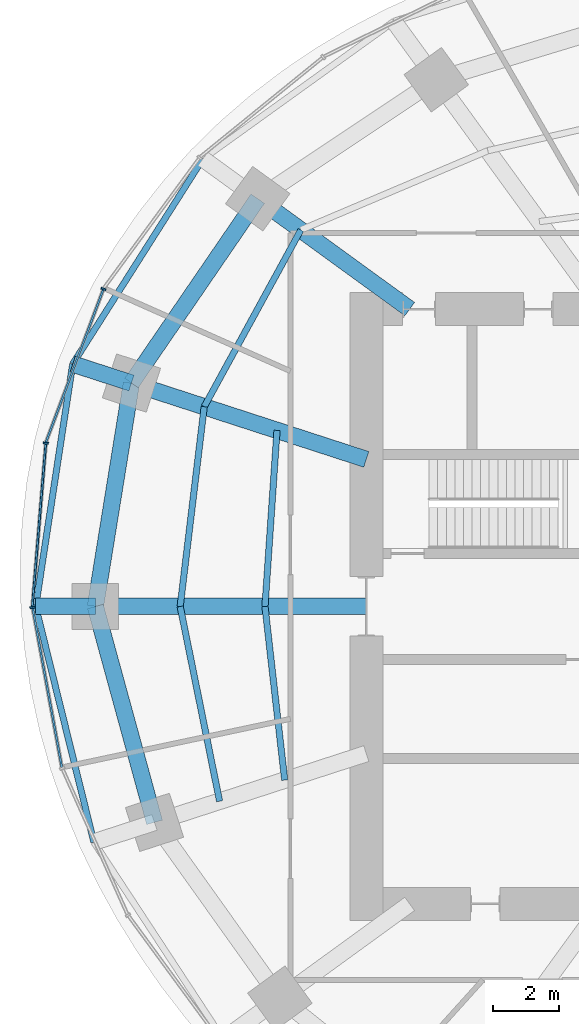
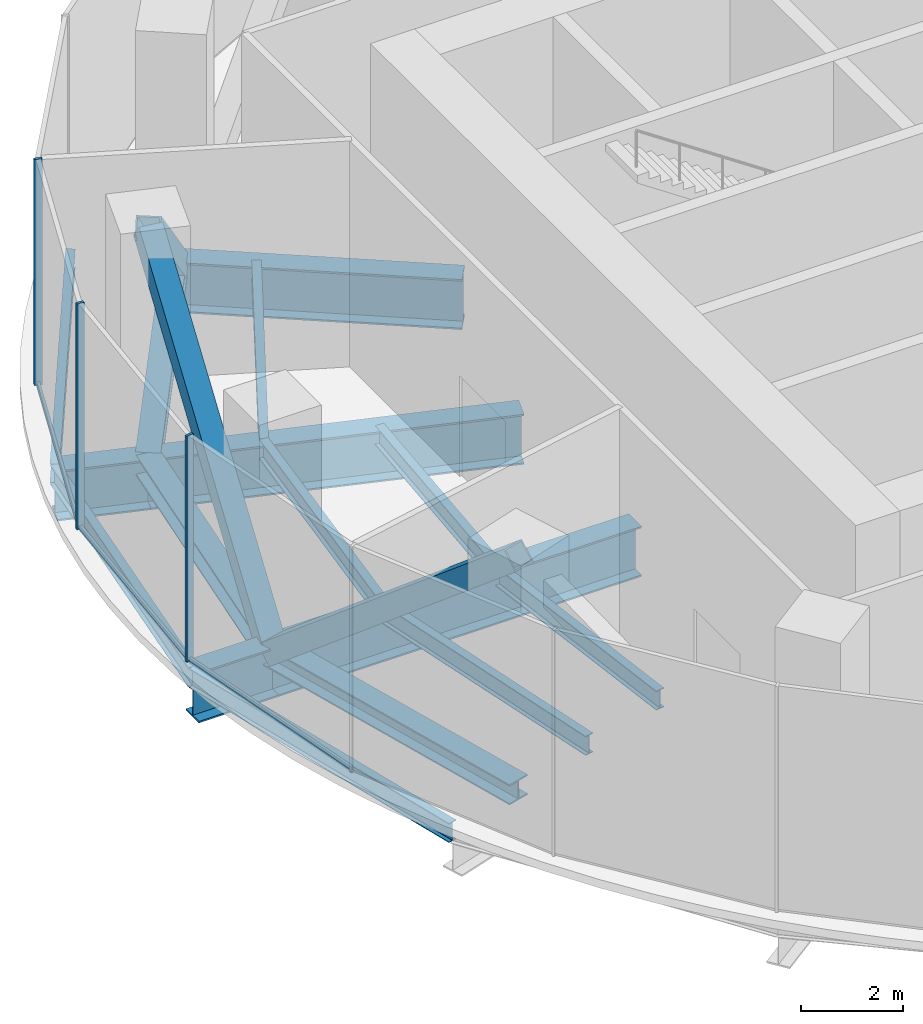
# One storey, part 4 of 13: 13 beams, 12 members, 2 elements without a shape of their own.
"""IFC4 building model written with IfcOpenShell, lengths in metres."""

import ifcopenshell
import ifcopenshell.guid

model = None  # the IFC model being written
_history = None  # IfcOwnerHistory: only IFC2X3 demands one
_inside = {}  # id of a spatial element -> (the spatial element, [elements in it])
_under = {}  # id of a project, library or spatial element -> (it, [spatial elements below it])
_declared = {}  # id of a project -> (the project, [libraries it declares])
_typed = {}  # id of a type object -> (the type object, [elements of that type])
_made_of = {}  # id of a material, layer set ... -> (it, [elements and type objects made of it])


def new_model(schema):
    """Start an empty IFC model of exactly this schema.

    Asked for "IFC4X3", IfcOpenShell would pick the latest addendum, in which some entities
    have other attributes; the version numbers below select the first issue.
    IFC2X3 requires an IfcOwnerHistory on every rooted entity: one is made here for all.
    """
    global model, _history
    if schema == "IFC4X3":
        model = ifcopenshell.file(schema_version=(4, 3, 0, 0))
    else:
        model = ifcopenshell.file(schema=schema)
    _inside.clear()
    _under.clear()
    _declared.clear()
    _typed.clear()
    _made_of.clear()
    _history = None
    if model.schema == "IFC2X3":
        org = make("IfcOrganization", Name="unknown")
        user = make(
            "IfcPersonAndOrganization",
            ThePerson=make("IfcPerson", FamilyName="unknown"),
            TheOrganization=org,
        )
        app = make(
            "IfcApplication",
            ApplicationDeveloper=org,
            Version="unknown",
            ApplicationFullName="unknown",
            ApplicationIdentifier="unknown",
        )
        _history = make(
            "IfcOwnerHistory",
            OwningUser=user,
            OwningApplication=app,
            ChangeAction="ADDED",
            CreationDate=0,
        )
    return model


def make(cls, **values):
    """One entity of the class cls with the attributes given. An attribute that is None is left unset."""
    return model.create_entity(
        cls, **{name: value for name, value in values.items() if value is not None}
    )


def rooted(cls, **values):
    """An entity with a GlobalId (a new one), such as an element, a storey or a relation."""
    return make(cls, GlobalId=ifcopenshell.guid.new(), OwnerHistory=_history, **values)


def si_unit(unit_type, name, prefix=None):
    """IfcSIUnit, for example si_unit("LENGTHUNIT", "METRE", prefix="MILLI")."""
    return make("IfcSIUnit", UnitType=unit_type, Prefix=prefix, Name=name)


def assignment(units):
    """IfcUnitAssignment: the units of a project."""
    return None if units is None else make("IfcUnitAssignment", Units=units)


def point(xyz):
    """IfcCartesianPoint."""
    return None if xyz is None else make("IfcCartesianPoint", Coordinates=xyz)


def direction(xyz):
    """IfcDirection."""
    return None if xyz is None else make("IfcDirection", DirectionRatios=xyz)


def frame(location, z_axis=None, x_axis=None):
    """IfcAxis2Placement3D, a coordinate frame: its origin and axes. An axis left out is left unset."""
    return make(
        "IfcAxis2Placement3D",
        Location=point(location),
        Axis=direction(z_axis),
        RefDirection=direction(x_axis),
    )


def frame_2d(location, x_axis=None):
    """IfcAxis2Placement2D, a coordinate frame in the plane: its origin and x axis."""
    return make(
        "IfcAxis2Placement2D", Location=point(location), RefDirection=direction(x_axis)
    )


def origin():
    """The frame at (0, 0, 0) with its axes left unset."""
    return frame((0.0, 0.0, 0.0))


def origin_2d():
    """The frame at (0, 0) in the plane with its x axis left unset."""
    return frame_2d((0.0, 0.0))


def place(relative_to, where):
    """IfcLocalPlacement: puts the frame where relative to a parent placement (None: the world)."""
    return make(
        "IfcLocalPlacement", PlacementRelTo=relative_to, RelativePlacement=where
    )


def context(
    kind, dimensions, precision=None, world=None, true_north=None, identifier=None
):
    """IfcGeometricRepresentationContext, for example the 3D "Model" context."""
    return make(
        "IfcGeometricRepresentationContext",
        ContextIdentifier=identifier,
        ContextType=kind,
        CoordinateSpaceDimension=dimensions,
        Precision=precision,
        WorldCoordinateSystem=world,
        TrueNorth=true_north,
    )


def subcontext(parent, identifier, kind, view, scale=None):
    """IfcGeometricRepresentationSubContext, for example "Body" below "Model"."""
    return make(
        "IfcGeometricRepresentationSubContext",
        ContextIdentifier=identifier,
        ContextType=kind,
        ParentContext=parent,
        TargetScale=scale,
        TargetView=view,
    )


def project(units=None, contexts=None):
    """IfcProject with its units and contexts."""
    return rooted(
        "IfcProject",
        Name="project",
        RepresentationContexts=contexts,
        UnitsInContext=assignment(units),
    )


def spatial(cls, under=None, at=None, **own):
    """A site, building, storey or space (cls), placed at a placement, below another one or the project."""
    s = rooted(cls, ObjectPlacement=at, **own)
    if under is not None:
        _under.setdefault(under.id(), (under, []))[1].append(s)
    return s


def profile(cls, at=None, kind="AREA", **sizes):
    """A parametric profile (cls). Its sizes go by their IFC names, for example OverallWidth=200.0."""
    return make(cls, ProfileType=kind, Position=at, **sizes)


def rectangle(**sizes):
    """IfcRectangleProfileDef."""
    return profile("IfcRectangleProfileDef", **sizes)


def hollow_rectangle(**sizes):
    """IfcRectangleHollowProfileDef."""
    return profile("IfcRectangleHollowProfileDef", **sizes)


def i_section(**sizes):
    """IfcIShapeProfileDef."""
    return profile("IfcIShapeProfileDef", **sizes)


def extrude(swept, where, along, depth):
    """IfcExtrudedAreaSolid: the profile swept, set in the frame where, extruded along a direction by depth."""
    return make(
        "IfcExtrudedAreaSolid",
        SweptArea=swept,
        Position=where,
        ExtrudedDirection=direction(along),
        Depth=depth,
    )


def shape(context_of_items, identifier, shape_type, items):
    """IfcShapeRepresentation: the items that make up one representation, for example the "Body"."""
    return make(
        "IfcShapeRepresentation",
        ContextOfItems=context_of_items,
        RepresentationIdentifier=identifier,
        RepresentationType=shape_type,
        Items=items,
    )


def material(Name=None, Category=None):
    """IfcMaterial."""
    return make("IfcMaterial", Name=Name, Category=Category)


def material_profile(
    of_material, cross_section, Name=None, Category=None, Priority=None
):
    """IfcMaterialProfile: a cross section and its material."""
    return make(
        "IfcMaterialProfile",
        Name=Name,
        Material=of_material,
        Profile=cross_section,
        Priority=Priority,
        Category=Category,
    )


def profile_set(profiles, Name=None, composite=None):
    """IfcMaterialProfileSet."""
    return make(
        "IfcMaterialProfileSet",
        Name=Name,
        MaterialProfiles=profiles,
        CompositeProfile=composite,
    )


def made_of(thing, what):
    """Note that an element or type object is made of a material, layer set ...; save() writes the relation."""
    if what is not None:
        _made_of.setdefault(what.id(), (what, []))[1].append(thing)
    return thing


def type_object(cls, material=None, **own):
    """A type object (cls), such as IfcWallType, which elements share."""
    return made_of(rooted(cls, **own), material)


def element(
    cls,
    number,
    at=None,
    inside=None,
    cuts=None,
    type_object=None,
    material=None,
    context=None,
    identifier="Body",
    shape_type=None,
    held_by="IfcProductDefinitionShape",
    body=None,
    shapes=None,
    **own,
):
    """One element of the class cls, such as IfcWall. Its Tag is "e" and its number.

    at: its placement. inside: the storey or other place that contains it. cuts: it is an
    opening in that element (IfcRelVoidsElement). A single representation is given by context,
    identifier, shape_type and body (its items); several are given by shapes. held_by: the class
    of the entity that holds the representations. save() writes the other relations.
    """
    e = rooted(cls, Tag="e%d" % number, ObjectPlacement=at, **own)
    if body is not None:
        shapes = [shape(context, identifier, shape_type, body)]
    if shapes is not None:
        e.Representation = make(held_by, Representations=shapes)
    if inside is not None:
        _inside.setdefault(inside.id(), (inside, []))[1].append(e)
    if cuts is not None:
        rooted(
            "IfcRelVoidsElement", RelatingBuildingElement=cuts, RelatedOpeningElement=e
        )
    if type_object is not None:
        _typed.setdefault(type_object.id(), (type_object, []))[1].append(e)
    return made_of(e, material)


def aggregate(whole, parts):
    """IfcRelAggregates: a whole, such as a stair, and the parts it consists of."""
    return rooted("IfcRelAggregates", RelatingObject=whole, RelatedObjects=parts)


def save(model, path):
    """Write the relations noted so far, then the file.

    IfcRelAggregates (storeys below a building ...), IfcRelContainedInSpatialStructure (elements
    in a storey), IfcRelDefinesByType, IfcRelAssociatesMaterial and IfcRelDeclares: one each for
    every whole, place, type object, material and project.
    """
    for whole, parts in _under.values():
        aggregate(whole, parts)
    for where, things in _inside.values():
        rooted(
            "IfcRelContainedInSpatialStructure",
            RelatedElements=things,
            RelatingStructure=where,
        )
    for kind, things in _typed.values():
        rooted("IfcRelDefinesByType", RelatedObjects=things, RelatingType=kind)
    for what, things in _made_of.values():
        rooted("IfcRelAssociatesMaterial", RelatedObjects=things, RelatingMaterial=what)
    for by, libraries in _declared.values():
        rooted("IfcRelDeclares", RelatingContext=by, RelatedDefinitions=libraries)
    model.write(path)


model = new_model("IFC4")

# Units and contexts
model_context = context("Model", 3, precision=1e-05, world=origin(), true_north=direction((0.0, 1.0)))
body_context = subcontext(model_context, "Body", "Model", "MODEL_VIEW")
ifc_project = project(units=[si_unit("LENGTHUNIT", "METRE"), si_unit("AREAUNIT", "SQUARE_METRE"), si_unit("VOLUMEUNIT", "CUBIC_METRE"), si_unit("PLANEANGLEUNIT", "RADIAN"), si_unit("MASSUNIT", "GRAM", prefix="KILO")], contexts=[model_context])

# Site, building, storey
site_placement = place(None, origin())
site = spatial("IfcSite", under=ifc_project, at=site_placement, CompositionType="ELEMENT")
building_placement = place(site_placement, origin())
building = spatial("IfcBuilding", under=site, at=building_placement, Name="Marramba Exchange Tower", CompositionType="ELEMENT")
storey_placement = place(building_placement, frame((0.0, 0.0, 246.199951171875)))
storey = spatial("IfcBuildingStorey", under=building, at=storey_placement, Name="L60", CompositionType="ELEMENT", Elevation=246.199951171875)

# Members
ifc_material_1 = material(Name="Steel AS/NZS 3679.2 grade 300", Category="steel")
ifc_material_profile_1 = material_profile(ifc_material_1, i_section(OverallWidth=0.5, OverallDepth=0.48388671875, WebThickness=0.02490234375, FlangeThickness=0.031982421875, at=origin_2d()), Name="500WC340")
ifc_profile_set_1 = profile_set([ifc_material_profile_1], Name="Steel AS/NZS 3679.2 grade 300")
member_type_1 = type_object("IfcMemberType", Name="Belt truss chord 500WC340", PredefinedType="CHORD", material=ifc_profile_set_1)
member_1_placement = place(storey_placement, frame((-16.98583984375, 12.3408203125, -0.44189453125), z_axis=(-0.56516002054, -0.824981303535, 0.0), x_axis=(0.824981303535, -0.56516002054, 0.0)))
element("IfcMember", 1, at=member_1_placement, inside=storey, type_object=member_type_1, Name="Belt chord L60 TC09-TC10", PredefinedType="CHORD", context=body_context, shape_type="SweptSolid", body=[
    extrude(i_section(OverallWidth=0.5, OverallDepth=0.48388671875, WebThickness=0.02490234375, FlangeThickness=0.031982421875, at=origin_2d()), origin(), (0.0, 0.0, 1.0), 6.763671875),
])
member_2_placement = place(storey_placement, frame((-20.808349609375, 6.760986328125, -0.44189453125), z_axis=(-0.159384865399, -0.987216523708, 0.0), x_axis=(0.987216523708, -0.159384865399, 0.0)))
element("IfcMember", 2, at=member_2_placement, inside=storey, type_object=member_type_1, Name="Belt chord L60 TC10-TC11", PredefinedType="CHORD", context=body_context, shape_type="SweptSolid", body=[
    extrude(i_section(OverallWidth=0.5, OverallDepth=0.48388671875, WebThickness=0.02490234375, FlangeThickness=0.031982421875, at=origin_2d()), origin(), (0.0, 0.0, 1.0), 6.8486328125),
])
member_3_placement = place(storey_placement, frame((-21.89990234375, 0.0, -0.44189453125), z_axis=(0.264291166956, -0.964442937176, 0.0), x_axis=(0.964442937176, 0.264291166956, 0.0)))
element("IfcMember", 3, at=member_3_placement, inside=storey, type_object=member_type_1, Name="Belt chord L60 TC11-TC12", PredefinedType="CHORD", context=body_context, shape_type="SweptSolid", body=[
    extrude(i_section(OverallWidth=0.5, OverallDepth=0.48388671875, WebThickness=0.02490234375, FlangeThickness=0.031982421875, at=origin_2d()), origin(), (0.0, 0.0, 1.0), 6.77490234375),
])
ifc_material_2 = material(Name="Steel AS/NZS 3678 grade 350", Category="steel")
ifc_material_profile_2 = material_profile(ifc_material_2, hollow_rectangle(XDim=0.5, YDim=0.5, WallThickness=0.031982421875, at=origin_2d()), Name="500x500x32BOX")
ifc_profile_set_2 = profile_set([ifc_material_profile_2], Name="Steel AS/NZS 3678 grade 350")
member_type_2 = type_object("IfcMemberType", Name="Belt truss diagonal 500x500x32BOX", PredefinedType="BRACE", material=ifc_profile_set_2)
member_4_placement = place(storey_placement, frame((-16.98583984375, 12.3408203125, -0.44189453125), z_axis=(-0.435320155783, -0.635450096469, 0.63772998743), x_axis=(0.824981303535, -0.56516002054, 0.0)))
element("IfcMember", 4, at=member_4_placement, inside=storey, type_object=member_type_2, Name="Belt truss BT60 diagonal 09", PredefinedType="BRACE", context=body_context, shape_type="SweptSolid", body=[
    extrude(hollow_rectangle(XDim=0.5, YDim=0.5, WallThickness=0.031982421875, at=origin_2d()), origin(), (0.0, 0.0, 1.0), 8.781005859375),
])
member_5_placement = place(storey_placement, frame((-20.808349609375, 6.760986328125, 5.157958984375), z_axis=(-0.12338791563, -0.764254427988, -0.633001257168), x_axis=(0.987216523708, -0.159384865399, 0.0)))
element("IfcMember", 5, at=member_5_placement, inside=storey, type_object=member_type_2, Name="Belt truss BT60 diagonal 10", PredefinedType="BRACE", context=body_context, shape_type="SweptSolid", body=[
    extrude(hollow_rectangle(XDim=0.5, YDim=0.5, WallThickness=0.031982421875, at=origin_2d()), origin(), (0.0, 0.0, 1.0), 8.846435546875),
])
member_6_placement = place(storey_placement, frame((-21.89990234375, 0.0, -0.44189453125), z_axis=(0.203710300646, -0.743373162828, 0.637101604297), x_axis=(0.964442937176, 0.264291166956, 0.0)))
element("IfcMember", 6, at=member_6_placement, inside=storey, type_object=member_type_2, Name="Belt truss BT60 diagonal 11", PredefinedType="BRACE", context=body_context, shape_type="SweptSolid", body=[
    extrude(hollow_rectangle(XDim=0.5, YDim=0.5, WallThickness=0.031982421875, at=origin_2d()), origin(), (0.0, 0.0, 1.0), 8.78955078125),
])

# Beams
ifc_material_profile_3 = material_profile(ifc_material_1, i_section(OverallWidth=0.5, OverallDepth=1.199951171875, WebThickness=0.01611328125, FlangeThickness=0.0400390625, at=origin_2d()), Name="1200WB455")
ifc_profile_set_3 = profile_set([ifc_material_profile_3], Name="Steel AS/NZS 3679.2 grade 300")
beam_type_1 = type_object("IfcBeamType", Name="Cantilever girder 1200WB455", PredefinedType="BEAM", material=ifc_profile_set_3)
beam_1_placement = place(storey_placement, frame((-20.808349609375, 6.760986328125, -0.800048828125), z_axis=(-0.951047511993, 0.309044705395, 0.0), x_axis=(-0.309044705395, -0.951047511993, 0.0)))
element("IfcBeam", 7, at=beam_1_placement, inside=storey, type_object=beam_type_1, Name="Cantilever girder L60 TC10", PredefinedType="BEAM", context=body_context, shape_type="SweptSolid", body=[
    extrude(i_section(OverallWidth=0.5, OverallDepth=1.199951171875, WebThickness=0.01611328125, FlangeThickness=0.0400390625, at=origin_2d()), origin(), (0.0, 0.0, 1.0), 1.868408203125),
])
beam_2_placement = place(storey_placement, frame((-21.89990234375, 0.0, -0.800048828125), z_axis=(-1.0, 0.0, 0.0), x_axis=(0.0, -1.0, 0.0)))
element("IfcBeam", 8, at=beam_2_placement, inside=storey, type_object=beam_type_1, Name="Cantilever girder L60 TC11", PredefinedType="BEAM", context=body_context, shape_type="SweptSolid", body=[
    extrude(i_section(OverallWidth=0.5, OverallDepth=1.199951171875, WebThickness=0.01611328125, FlangeThickness=0.0400390625, at=origin_2d()), origin(), (0.0, 0.0, 1.0), 1.80615234375),
])
ifc_material_3 = material(Name="Steel AS/NZS 3679.1 grade 300", Category="steel")
ifc_material_profile_4 = material_profile(ifc_material_3, i_section(OverallWidth=0.19091796875, OverallDepth=0.4599609375, WebThickness=0.010009765625, FlangeThickness=0.01611328125, FilletRadius=0.011474609375, at=origin_2d()), Name="460UB82.1")
ifc_profile_set_4 = profile_set([ifc_material_profile_4], Name="Steel AS/NZS 3679.1 grade 300")
beam_type_2 = type_object("IfcBeamType", Name="Floor joist 460UB82.1", PredefinedType="JOIST", material=ifc_profile_set_4)
beam_3_placement = place(storey_placement, frame((-15.682373046875, 11.393798828125, -0.429931640625), z_axis=(-0.479584443791, -0.877495732909, 0.0), x_axis=(0.877495732909, -0.479584443791, 0.0)))
element("IfcBeam", 9, at=beam_3_placement, inside=storey, type_object=beam_type_2, Name="Joist L60 bay 09 row 2", PredefinedType="JOIST", context=body_context, shape_type="SweptSolid", body=[
    extrude(i_section(OverallWidth=0.19091796875, OverallDepth=0.4599609375, WebThickness=0.010009765625, FlangeThickness=0.01611328125, FilletRadius=0.011474609375, at=origin_2d()), origin(), (0.0, 0.0, 1.0), 6.094970703125),
])
beam_4_placement = place(storey_placement, frame((-16.40283203125, 5.32958984375, -0.429931640625), z_axis=(-0.068096259546, -0.99767875563, 0.0), x_axis=(0.99767875563, -0.068096259546, 0.0)))
element("IfcBeam", 10, at=beam_4_placement, inside=storey, type_object=beam_type_2, Name="Joist L60 bay 10 row 1", PredefinedType="JOIST", context=body_context, shape_type="SweptSolid", body=[
    extrude(i_section(OverallWidth=0.19091796875, OverallDepth=0.4599609375, WebThickness=0.010009765625, FlangeThickness=0.01611328125, FilletRadius=0.011474609375, at=origin_2d()), origin(), (0.0, 0.0, 1.0), 5.342041015625),
])
beam_5_placement = place(storey_placement, frame((-18.60546875, 6.04541015625, -0.429931640625), z_axis=(-0.119523078538, -0.992831422597, 0.0), x_axis=(0.992831422597, -0.119523078538, 0.0)))
element("IfcBeam", 11, at=beam_5_placement, inside=storey, type_object=beam_type_2, Name="Joist L60 bay 10 row 2", PredefinedType="JOIST", context=body_context, shape_type="SweptSolid", body=[
    extrude(i_section(OverallWidth=0.19091796875, OverallDepth=0.4599609375, WebThickness=0.010009765625, FlangeThickness=0.01611328125, FilletRadius=0.011474609375, at=origin_2d()), origin(), (0.0, 0.0, 1.0), 6.089111328125),
])
beam_6_placement = place(storey_placement, frame((-16.7666015625, 0.0, -0.429931640625), z_axis=(0.112888968594, -0.993607609054, 0.0), x_axis=(0.993607609054, 0.112888968594, 0.0)))
element("IfcBeam", 12, at=beam_6_placement, inside=storey, type_object=beam_type_2, Name="Joist L60 bay 11 row 1", PredefinedType="JOIST", context=body_context, shape_type="SweptSolid", body=[
    extrude(i_section(OverallWidth=0.19091796875, OverallDepth=0.4599609375, WebThickness=0.010009765625, FlangeThickness=0.01611328125, FilletRadius=0.011474609375, at=origin_2d()), origin(), (0.0, 0.0, 1.0), 5.28759765625),
])
beam_7_placement = place(storey_placement, frame((-19.333251953125, 0.0, -0.429931640625), z_axis=(0.198489047047, -0.980103105904, 0.0), x_axis=(0.980103105904, 0.198489047047, 0.0)))
element("IfcBeam", 13, at=beam_7_placement, inside=storey, type_object=beam_type_2, Name="Joist L60 bay 11 row 2", PredefinedType="JOIST", context=body_context, shape_type="SweptSolid", body=[
    extrude(i_section(OverallWidth=0.19091796875, OverallDepth=0.4599609375, WebThickness=0.010009765625, FlangeThickness=0.01611328125, FilletRadius=0.011474609375, at=origin_2d()), origin(), (0.0, 0.0, 1.0), 6.013427734375),
])

# Curtain wall, members
ifc_material_4 = material(Name="Aluminium framing, bronze anodised", Category="aluminium")
curtain_wall_type = type_object("IfcCurtainWallType", Name="Plant floor louvred curtain wall", PredefinedType="USERDEFINED", material=ifc_material_4)
curtain_wall_1_placement = place(storey_placement, origin())
curtain_wall_1 = element("IfcCurtainWall", 14, at=curtain_wall_1_placement, inside=storey, type_object=curtain_wall_type, Name="Curtain wall CW6 L60 F11-F15", ObjectType="RIBBON CURTAIN WALL", PredefinedType="USERDEFINED")
ifc_material_5 = material(Name="Aluminium mullion, bronze anodised", Category="aluminium")
ifc_material_profile_5 = material_profile(ifc_material_5, rectangle(XDim=0.159912109375, YDim=0.06005859375, at=origin_2d()), Name="CW6 mullion 60x160")
ifc_profile_set_5 = profile_set([ifc_material_profile_5], Name="Aluminium mullion, bronze anodised")
member_type_3 = type_object("IfcMemberType", Name="Plant floor louvred curtain wall mullion", PredefinedType="MULLION", material=ifc_profile_set_5)
member_7_placement = place(storey_placement, frame((-21.65283203125, 9.607666015625, 0.0), z_axis=(0.0, 0.0, 1.0), x_axis=(0.936018231909, -0.351951515885, 0.0)))
member_7 = element("IfcMember", 15, at=member_7_placement, type_object=member_type_3, Name="CW6 mullion 1", PredefinedType="MULLION", context=body_context, shape_type="SweptSolid", body=[
    extrude(rectangle(XDim=0.159912109375, YDim=0.06005859375, at=origin_2d()), origin(), (0.0, 0.0, 1.0), 5.400146484375),
])
member_8_placement = place(storey_placement, frame((-23.39794921875, 4.94287109375, 0.0), z_axis=(0.0, 0.0, 1.0), x_axis=(0.996609178714, -0.082280890264, 0.0)))
member_8 = element("IfcMember", 16, at=member_8_placement, type_object=member_type_3, Name="CW6 mullion 1", PredefinedType="MULLION", context=body_context, shape_type="SweptSolid", body=[
    extrude(rectangle(XDim=0.159912109375, YDim=0.06005859375, at=origin_2d()), origin(), (0.0, 0.0, 1.0), 5.400146484375),
])

# Curtain wall, member
curtain_wall_2_placement = place(storey_placement, origin())
curtain_wall_2 = element("IfcCurtainWall", 17, at=curtain_wall_2_placement, inside=storey, type_object=curtain_wall_type, Name="Curtain wall CW6 L60 F16-F20", ObjectType="RIBBON CURTAIN WALL", PredefinedType="USERDEFINED")
member_9_placement = place(storey_placement, frame((-23.800537109375, -0.029541015625, 0.0), z_axis=(0.0, 0.0, 1.0), x_axis=(0.983606636184, 0.180327438996, 0.0)))
member_9 = element("IfcMember", 18, at=member_9_placement, type_object=member_type_3, Name="CW6 mullion 1", PredefinedType="MULLION", context=body_context, shape_type="SweptSolid", body=[
    extrude(rectangle(XDim=0.159912109375, YDim=0.06005859375, at=origin_2d()), origin(), (0.0, 0.0, 1.0), 5.400146484375),
])

# Member
ifc_material_6 = material(Name="Aluminium transom, bronze anodised", Category="aluminium")
ifc_material_profile_6 = material_profile(ifc_material_6, rectangle(XDim=0.06005859375, YDim=0.1201171875, at=origin_2d()), Name="CW6 transom 60x120")
ifc_profile_set_6 = profile_set([ifc_material_profile_6], Name="Aluminium transom, bronze anodised")
member_type_4 = type_object("IfcMemberType", Name="Plant floor louvred curtain wall transom", PredefinedType="USERDEFINED", material=ifc_profile_set_6)
member_10_placement = place(storey_placement, frame((-21.663330078125, 9.57958984375, 0.030029296875), z_axis=(-0.351955054115, -0.936016901494, 0.0), x_axis=(0.936016901494, -0.351955054115, 0.0)))
member_10 = element("IfcMember", 19, at=member_10_placement, type_object=member_type_4, Name="CW6 sill transom", ObjectType="TRANSOM", PredefinedType="USERDEFINED", context=body_context, shape_type="SweptSolid", body=[
    extrude(rectangle(XDim=0.06005859375, YDim=0.1201171875, at=origin_2d()), origin(), (0.0, 0.0, 1.0), 4.921630859375),
])

member_11_placement = place(storey_placement, frame((-23.400390625, 4.9130859375, 0.030029296875), z_axis=(-0.082258542539, -0.996611023509, 0.0), x_axis=(0.996611023509, -0.082258542539, 0.0)))
member_11 = element("IfcMember", 20, at=member_11_placement, type_object=member_type_4, Name="CW6 sill transom", ObjectType="TRANSOM", PredefinedType="USERDEFINED", context=body_context, shape_type="SweptSolid", body=[
    extrude(rectangle(XDim=0.06005859375, YDim=0.1201171875, at=origin_2d()), origin(), (0.0, 0.0, 1.0), 4.9296875),
])

aggregate(curtain_wall_1, [member_7, member_10, member_8, member_11])

member_12_placement = place(storey_placement, frame((-23.795166015625, -0.05908203125, 0.030029296875), z_axis=(0.180330283276, -0.98360611473, 0.0), x_axis=(0.98360611473, 0.180330283276, 0.0)))
member_12 = element("IfcMember", 21, at=member_12_placement, type_object=member_type_4, Name="CW6 sill transom", ObjectType="TRANSOM", PredefinedType="USERDEFINED", context=body_context, shape_type="SweptSolid", body=[
    extrude(rectangle(XDim=0.06005859375, YDim=0.1201171875, at=origin_2d()), origin(), (0.0, 0.0, 1.0), 4.891357421875),
])

aggregate(curtain_wall_2, [member_9, member_12])

# Beams
ifc_material_profile_7 = material_profile(ifc_material_1, i_section(OverallWidth=0.5, OverallDepth=1.199951171875, WebThickness=0.01611328125, FlangeThickness=0.0400390625, at=origin_2d()), Name="1200WB455")
ifc_profile_set_7 = profile_set([ifc_material_profile_7], Name="Steel AS/NZS 3679.2 grade 300")
beam_type_3 = type_object("IfcBeamType", Name="Radial girder 1200WB455", PredefinedType="BEAM", material=ifc_profile_set_7)
beam_8_placement = place(storey_placement, frame((-12.387451171875, 9.0, -0.800048828125), z_axis=(-0.809025746925, 0.587773205252, 0.0), x_axis=(-0.587773205252, -0.809025746925, 0.0)))
element("IfcBeam", 22, at=beam_8_placement, inside=storey, type_object=beam_type_3, Name="Radial girder L60 TC09", PredefinedType="BEAM", context=body_context, shape_type="SweptSolid", body=[
    extrude(i_section(OverallWidth=0.5, OverallDepth=1.199951171875, WebThickness=0.01611328125, FlangeThickness=0.0400390625, at=origin_2d()), origin(), (0.0, 0.0, 1.0), 5.683837890625),
])
beam_9_placement = place(storey_placement, frame((-13.699951171875, 4.451416015625, -0.800048828125), z_axis=(-0.951059990189, 0.309006302624, 0.0), x_axis=(-0.309006302624, -0.951059990189, 0.0)))
element("IfcBeam", 23, at=beam_9_placement, inside=storey, type_object=beam_type_3, Name="Radial girder L60 TC10", PredefinedType="BEAM", context=body_context, shape_type="SweptSolid", body=[
    extrude(i_section(OverallWidth=0.5, OverallDepth=1.199951171875, WebThickness=0.01611328125, FlangeThickness=0.0400390625, at=origin_2d()), origin(), (0.0, 0.0, 1.0), 7.47412109375),
])
beam_10_placement = place(storey_placement, frame((-13.699951171875, 0.0, -0.800048828125), z_axis=(-1.0, 0.0, 0.0), x_axis=(0.0, -1.0, 0.0)))
element("IfcBeam", 24, at=beam_10_placement, inside=storey, type_object=beam_type_3, Name="Radial girder L60 TC11", PredefinedType="BEAM", context=body_context, shape_type="SweptSolid", body=[
    extrude(i_section(OverallWidth=0.5, OverallDepth=1.199951171875, WebThickness=0.01611328125, FlangeThickness=0.0400390625, at=origin_2d()), origin(), (0.0, 0.0, 1.0), 8.199951171875),
])
ifc_material_profile_8 = material_profile(ifc_material_3, i_section(OverallWidth=0.19091796875, OverallDepth=0.4599609375, WebThickness=0.010009765625, FlangeThickness=0.01611328125, FilletRadius=0.011474609375, at=origin_2d()), Name="460UB82.1")
ifc_profile_set_8 = profile_set([ifc_material_profile_8], Name="Steel AS/NZS 3679.1 grade 300")
beam_type_4 = type_object("IfcBeamType", Name="Slab edge beam 460UB82.1", PredefinedType="SPANDREL", material=ifc_profile_set_8)
beam_11_placement = place(storey_placement, frame((-18.6455078125, 13.546875, -0.429931640625), z_axis=(-0.535794396634, -0.844348485245, 0.0), x_axis=(0.844348485245, -0.535794396634, 0.0)))
element("IfcBeam", 25, at=beam_11_placement, inside=storey, type_object=beam_type_4, Name="Slab edge beam L60 TC09-TC10", PredefinedType="SPANDREL", context=body_context, shape_type="SweptSolid", body=[
    extrude(i_section(OverallWidth=0.19091796875, OverallDepth=0.4599609375, WebThickness=0.010009765625, FlangeThickness=0.01611328125, FilletRadius=0.011474609375, at=origin_2d()), origin(), (0.0, 0.0, 1.0), 7.35302734375),
])
beam_12_placement = place(storey_placement, frame((-22.585205078125, 7.33837890625, -0.429931640625), z_axis=(-0.150987012186, -0.988535746522, 0.0), x_axis=(0.988535746522, -0.150987012186, 0.0)))
element("IfcBeam", 26, at=beam_12_placement, inside=storey, type_object=beam_type_4, Name="Slab edge beam L60 TC10-TC11", PredefinedType="SPANDREL", context=body_context, shape_type="SweptSolid", body=[
    extrude(i_section(OverallWidth=0.19091796875, OverallDepth=0.4599609375, WebThickness=0.010009765625, FlangeThickness=0.01611328125, FilletRadius=0.011474609375, at=origin_2d()), origin(), (0.0, 0.0, 1.0), 7.423583984375),
])
beam_13_placement = place(storey_placement, frame((-23.7060546875, 0.0, -0.429931640625), z_axis=(0.23973454413, -0.970838476963, 0.0), x_axis=(0.970838476963, 0.23973454413, 0.0)))
element("IfcBeam", 27, at=beam_13_placement, inside=storey, type_object=beam_type_4, Name="Slab edge beam L60 TC11-TC12", PredefinedType="SPANDREL", context=body_context, shape_type="SweptSolid", body=[
    extrude(i_section(OverallWidth=0.19091796875, OverallDepth=0.4599609375, WebThickness=0.010009765625, FlangeThickness=0.01611328125, FilletRadius=0.011474609375, at=origin_2d()), origin(), (0.0, 0.0, 1.0), 7.344482421875),
])

save(model, "model.ifc")
